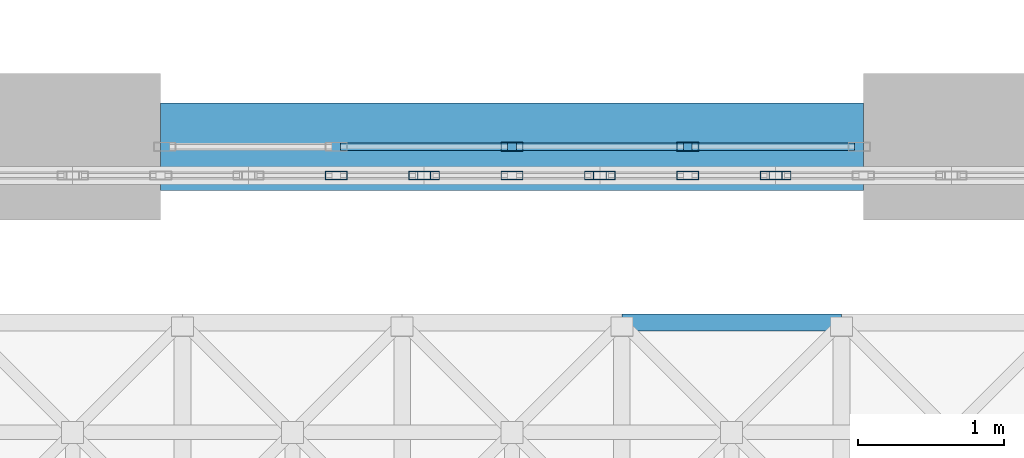
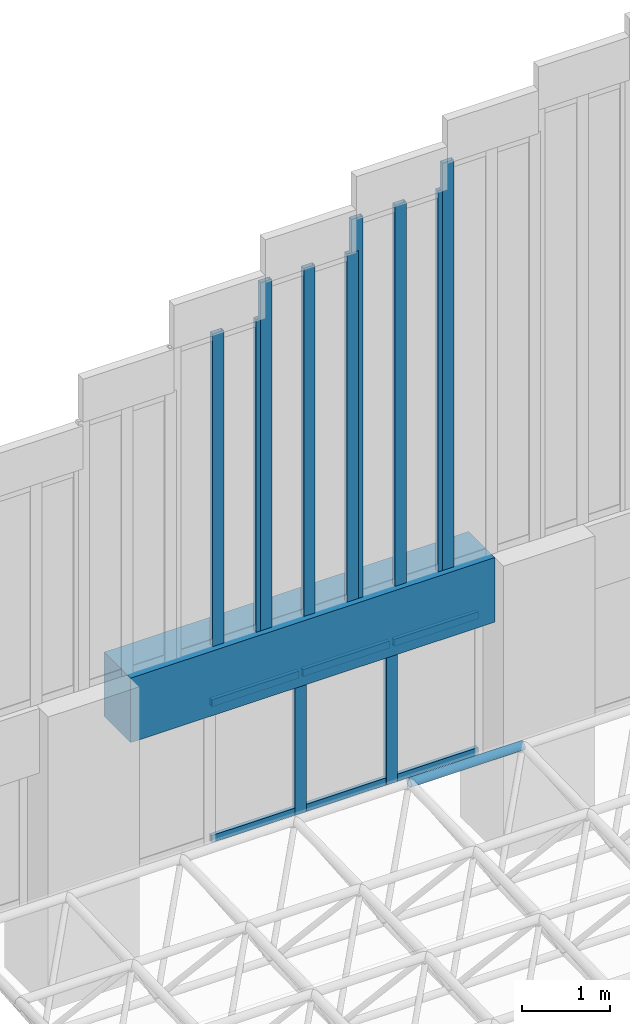
# One storey, part 10 of 103: 18 members, 1 beam, 5 elements without a shape of their own.
"""IFC4 building model written with IfcOpenShell, lengths in metres."""

import ifcopenshell
import ifcopenshell.guid

model = None  # the IFC model being written
_history = None  # IfcOwnerHistory: only IFC2X3 demands one
_inside = {}  # id of a spatial element -> (the spatial element, [elements in it])
_under = {}  # id of a project, library or spatial element -> (it, [spatial elements below it])
_declared = {}  # id of a project -> (the project, [libraries it declares])
_typed = {}  # id of a type object -> (the type object, [elements of that type])
_made_of = {}  # id of a material, layer set ... -> (it, [elements and type objects made of it])


def new_model(schema):
    """Start an empty IFC model of exactly this schema.

    Asked for "IFC4X3", IfcOpenShell would pick the latest addendum, in which some entities
    have other attributes; the version numbers below select the first issue.
    IFC2X3 requires an IfcOwnerHistory on every rooted entity: one is made here for all.
    """
    global model, _history
    if schema == "IFC4X3":
        model = ifcopenshell.file(schema_version=(4, 3, 0, 0))
    else:
        model = ifcopenshell.file(schema=schema)
    _inside.clear()
    _under.clear()
    _declared.clear()
    _typed.clear()
    _made_of.clear()
    _history = None
    if model.schema == "IFC2X3":
        org = make("IfcOrganization", Name="unknown")
        user = make(
            "IfcPersonAndOrganization",
            ThePerson=make("IfcPerson", FamilyName="unknown"),
            TheOrganization=org,
        )
        app = make(
            "IfcApplication",
            ApplicationDeveloper=org,
            Version="unknown",
            ApplicationFullName="unknown",
            ApplicationIdentifier="unknown",
        )
        _history = make(
            "IfcOwnerHistory",
            OwningUser=user,
            OwningApplication=app,
            ChangeAction="ADDED",
            CreationDate=0,
        )
    return model


def make(cls, **values):
    """One entity of the class cls with the attributes given. An attribute that is None is left unset."""
    return model.create_entity(
        cls, **{name: value for name, value in values.items() if value is not None}
    )


def rooted(cls, **values):
    """An entity with a GlobalId (a new one), such as an element, a storey or a relation."""
    return make(cls, GlobalId=ifcopenshell.guid.new(), OwnerHistory=_history, **values)


def si_unit(unit_type, name, prefix=None):
    """IfcSIUnit, for example si_unit("LENGTHUNIT", "METRE", prefix="MILLI")."""
    return make("IfcSIUnit", UnitType=unit_type, Prefix=prefix, Name=name)


def assignment(units):
    """IfcUnitAssignment: the units of a project."""
    return None if units is None else make("IfcUnitAssignment", Units=units)


def point(xyz):
    """IfcCartesianPoint."""
    return None if xyz is None else make("IfcCartesianPoint", Coordinates=xyz)


def direction(xyz):
    """IfcDirection."""
    return None if xyz is None else make("IfcDirection", DirectionRatios=xyz)


def frame(location, z_axis=None, x_axis=None):
    """IfcAxis2Placement3D, a coordinate frame: its origin and axes. An axis left out is left unset."""
    return make(
        "IfcAxis2Placement3D",
        Location=point(location),
        Axis=direction(z_axis),
        RefDirection=direction(x_axis),
    )


def frame_2d(location, x_axis=None):
    """IfcAxis2Placement2D, a coordinate frame in the plane: its origin and x axis."""
    return make(
        "IfcAxis2Placement2D", Location=point(location), RefDirection=direction(x_axis)
    )


def origin():
    """The frame at (0, 0, 0) with its axes left unset."""
    return frame((0.0, 0.0, 0.0))


def origin_2d():
    """The frame at (0, 0) in the plane with its x axis left unset."""
    return frame_2d((0.0, 0.0))


def place(relative_to, where):
    """IfcLocalPlacement: puts the frame where relative to a parent placement (None: the world)."""
    return make(
        "IfcLocalPlacement", PlacementRelTo=relative_to, RelativePlacement=where
    )


def context(
    kind, dimensions, precision=None, world=None, true_north=None, identifier=None
):
    """IfcGeometricRepresentationContext, for example the 3D "Model" context."""
    return make(
        "IfcGeometricRepresentationContext",
        ContextIdentifier=identifier,
        ContextType=kind,
        CoordinateSpaceDimension=dimensions,
        Precision=precision,
        WorldCoordinateSystem=world,
        TrueNorth=true_north,
    )


def subcontext(parent, identifier, kind, view, scale=None):
    """IfcGeometricRepresentationSubContext, for example "Body" below "Model"."""
    return make(
        "IfcGeometricRepresentationSubContext",
        ContextIdentifier=identifier,
        ContextType=kind,
        ParentContext=parent,
        TargetScale=scale,
        TargetView=view,
    )


def project(units=None, contexts=None):
    """IfcProject with its units and contexts."""
    return rooted(
        "IfcProject",
        Name="project",
        RepresentationContexts=contexts,
        UnitsInContext=assignment(units),
    )


def spatial(cls, under=None, at=None, **own):
    """A site, building, storey or space (cls), placed at a placement, below another one or the project."""
    s = rooted(cls, ObjectPlacement=at, **own)
    if under is not None:
        _under.setdefault(under.id(), (under, []))[1].append(s)
    return s


def profile(cls, at=None, kind="AREA", **sizes):
    """A parametric profile (cls). Its sizes go by their IFC names, for example OverallWidth=200.0."""
    return make(cls, ProfileType=kind, Position=at, **sizes)


def rectangle(**sizes):
    """IfcRectangleProfileDef."""
    return profile("IfcRectangleProfileDef", **sizes)


def hollow_rectangle(**sizes):
    """IfcRectangleHollowProfileDef."""
    return profile("IfcRectangleHollowProfileDef", **sizes)


def hollow_circle(**sizes):
    """IfcCircleHollowProfileDef."""
    return profile("IfcCircleHollowProfileDef", **sizes)


def extrude(swept, where, along, depth):
    """IfcExtrudedAreaSolid: the profile swept, set in the frame where, extruded along a direction by depth."""
    return make(
        "IfcExtrudedAreaSolid",
        SweptArea=swept,
        Position=where,
        ExtrudedDirection=direction(along),
        Depth=depth,
    )


def shape(context_of_items, identifier, shape_type, items):
    """IfcShapeRepresentation: the items that make up one representation, for example the "Body"."""
    return make(
        "IfcShapeRepresentation",
        ContextOfItems=context_of_items,
        RepresentationIdentifier=identifier,
        RepresentationType=shape_type,
        Items=items,
    )


def material(Name=None, Category=None):
    """IfcMaterial."""
    return make("IfcMaterial", Name=Name, Category=Category)


def material_profile(
    of_material, cross_section, Name=None, Category=None, Priority=None
):
    """IfcMaterialProfile: a cross section and its material."""
    return make(
        "IfcMaterialProfile",
        Name=Name,
        Material=of_material,
        Profile=cross_section,
        Priority=Priority,
        Category=Category,
    )


def profile_set(profiles, Name=None, composite=None):
    """IfcMaterialProfileSet."""
    return make(
        "IfcMaterialProfileSet",
        Name=Name,
        MaterialProfiles=profiles,
        CompositeProfile=composite,
    )


def made_of(thing, what):
    """Note that an element or type object is made of a material, layer set ...; save() writes the relation."""
    if what is not None:
        _made_of.setdefault(what.id(), (what, []))[1].append(thing)
    return thing


def type_object(cls, material=None, **own):
    """A type object (cls), such as IfcWallType, which elements share."""
    return made_of(rooted(cls, **own), material)


def element(
    cls,
    number,
    at=None,
    inside=None,
    cuts=None,
    type_object=None,
    material=None,
    context=None,
    identifier="Body",
    shape_type=None,
    held_by="IfcProductDefinitionShape",
    body=None,
    shapes=None,
    **own,
):
    """One element of the class cls, such as IfcWall. Its Tag is "e" and its number.

    at: its placement. inside: the storey or other place that contains it. cuts: it is an
    opening in that element (IfcRelVoidsElement). A single representation is given by context,
    identifier, shape_type and body (its items); several are given by shapes. held_by: the class
    of the entity that holds the representations. save() writes the other relations.
    """
    e = rooted(cls, Tag="e%d" % number, ObjectPlacement=at, **own)
    if body is not None:
        shapes = [shape(context, identifier, shape_type, body)]
    if shapes is not None:
        e.Representation = make(held_by, Representations=shapes)
    if inside is not None:
        _inside.setdefault(inside.id(), (inside, []))[1].append(e)
    if cuts is not None:
        rooted(
            "IfcRelVoidsElement", RelatingBuildingElement=cuts, RelatedOpeningElement=e
        )
    if type_object is not None:
        _typed.setdefault(type_object.id(), (type_object, []))[1].append(e)
    return made_of(e, material)


def aggregate(whole, parts):
    """IfcRelAggregates: a whole, such as a stair, and the parts it consists of."""
    return rooted("IfcRelAggregates", RelatingObject=whole, RelatedObjects=parts)


def save(model, path):
    """Write the relations noted so far, then the file.

    IfcRelAggregates (storeys below a building ...), IfcRelContainedInSpatialStructure (elements
    in a storey), IfcRelDefinesByType, IfcRelAssociatesMaterial and IfcRelDeclares: one each for
    every whole, place, type object, material and project.
    """
    for whole, parts in _under.values():
        aggregate(whole, parts)
    for where, things in _inside.values():
        rooted(
            "IfcRelContainedInSpatialStructure",
            RelatedElements=things,
            RelatingStructure=where,
        )
    for kind, things in _typed.values():
        rooted("IfcRelDefinesByType", RelatedObjects=things, RelatingType=kind)
    for what, things in _made_of.values():
        rooted("IfcRelAssociatesMaterial", RelatedObjects=things, RelatingMaterial=what)
    for by, libraries in _declared.values():
        rooted("IfcRelDeclares", RelatingContext=by, RelatedDefinitions=libraries)
    model.write(path)


model = new_model("IFC4")

# Units and contexts
model_context = context("Model", 3, precision=1e-05, world=origin(), true_north=direction((0.0, 1.0)))
body_context = subcontext(model_context, "Body", "Model", "MODEL_VIEW")
ifc_project = project(units=[si_unit("LENGTHUNIT", "METRE"), si_unit("AREAUNIT", "SQUARE_METRE"), si_unit("VOLUMEUNIT", "CUBIC_METRE"), si_unit("PLANEANGLEUNIT", "RADIAN"), si_unit("MASSUNIT", "GRAM", prefix="KILO")], contexts=[model_context])

# Site, building, storey
site_placement = place(None, origin())
site = spatial("IfcSite", under=ifc_project, at=site_placement, CompositionType="ELEMENT")
building_placement = place(site_placement, origin())
building = spatial("IfcBuilding", under=site, at=building_placement, Name="Laocheng Heights Fire and Rescue Headquarters", CompositionType="ELEMENT")
storey_placement = place(building_placement, frame((0.0, 0.0, 4.199951171875)))
storey = spatial("IfcBuildingStorey", under=building, at=storey_placement, Name="L01", CompositionType="ELEMENT", Elevation=4.199951171875)

# Curtain wall, members
ifc_material_1 = material(Name="Aluminium gable glazing, low-e double glazing", Category="aluminium")
curtain_wall_type_1 = type_object("IfcCurtainWallType", Name="GABLE SPANDREL GLAZED UNIT 4800 x 1990", PredefinedType="NOTDEFINED", material=ifc_material_1)
curtain_wall_1_placement = place(storey_placement, origin())
curtain_wall_1 = element("IfcCurtainWall", 1, at=curtain_wall_1_placement, inside=storey, type_object=curtain_wall_type_1, Name="Gable spandrel glazing S2", PredefinedType="NOTDEFINED")
ifc_material_2 = material(Name="Aluminium 6063-T5 extrusion", Category="aluminium")
ifc_material_profile_1 = material_profile(ifc_material_2, hollow_rectangle(XDim=0.06005859375, YDim=0.14990234375, WallThickness=0.0029296875, at=origin_2d()), Name="AL MULLION 150x60x3")
ifc_profile_set_1 = profile_set([ifc_material_profile_1], Name="Aluminium 6063-T5 extrusion")
member_type_1 = type_object("IfcMemberType", Name="AL GABLE MULLION 150x60x3", PredefinedType="MULLION", material=ifc_profile_set_1)
member_1_placement = place(storey_placement, frame((27.0, 0.0, 1.199951171875), z_axis=(0.0, 0.0, 1.0), x_axis=(0.0, 1.0, 0.0)))
member_1 = element("IfcMember", 2, at=member_1_placement, type_object=member_type_1, Name="X1-D mullion 3", PredefinedType="MULLION", context=body_context, shape_type="SweptSolid", body=[
    extrude(hollow_rectangle(XDim=0.06005859375, YDim=0.14990234375, WallThickness=0.0029296875, at=origin_2d()), origin(), (0.0, 0.0, 1.0), 1.990478515625),
])
member_2_placement = place(storey_placement, frame((28.199951171875, 0.0, 1.199951171875), z_axis=(0.0, 0.0, 1.0), x_axis=(0.0, 1.0, 0.0)))
member_2 = element("IfcMember", 3, at=member_2_placement, type_object=member_type_1, Name="X1-D mullion 4", PredefinedType="MULLION", context=body_context, shape_type="SweptSolid", body=[
    extrude(hollow_rectangle(XDim=0.06005859375, YDim=0.14990234375, WallThickness=0.0029296875, at=origin_2d()), origin(), (0.0, 0.0, 1.0), 1.990478515625),
])

ifc_material_3 = material(Name="Aluminium gable glazing, low-e double glazing", Category="aluminium")
curtain_wall_type_2 = type_object("IfcCurtainWallType", Name="GABLE GLAZED UNIT 1200 x 4353", PredefinedType="NOTDEFINED", material=ifc_material_3)
curtain_wall_2_placement = place(storey_placement, origin())
curtain_wall_2 = element("IfcCurtainWall", 4, at=curtain_wall_2_placement, inside=storey, type_object=curtain_wall_type_2, Name="Gable glazing S08", PredefinedType="NOTDEFINED")
member_3_placement = place(storey_placement, frame((25.800048828125, -0.196533203125, 4.090576171875), z_axis=(0.0, 0.0, 1.0), x_axis=(0.0, 1.0, 0.0)))
member_3 = element("IfcMember", 5, at=member_3_placement, type_object=member_type_1, Name="X7-D mullion 2", PredefinedType="MULLION", context=body_context, shape_type="SweptSolid", body=[
    extrude(hollow_rectangle(XDim=0.06005859375, YDim=0.14990234375, WallThickness=0.0029296875, at=origin_2d()), origin(), (0.0, 0.0, 1.0), 4.3525390625),
])
member_4_placement = place(storey_placement, frame((26.3701171875, -0.196533203125, 4.090576171875), z_axis=(0.0, 0.0, 1.0), x_axis=(0.0, 1.0, 0.0)))
member_4 = element("IfcMember", 6, at=member_4_placement, type_object=member_type_1, Name="X7-D mullion 3", PredefinedType="MULLION", context=body_context, shape_type="SweptSolid", body=[
    extrude(hollow_rectangle(XDim=0.06005859375, YDim=0.14990234375, WallThickness=0.0029296875, at=origin_2d()), origin(), (0.0, 0.0, 1.0), 4.3525390625),
])
aggregate(curtain_wall_2, [member_3, member_4])

ifc_material_4 = material(Name="Aluminium gable glazing, low-e double glazing", Category="aluminium")
curtain_wall_type_3 = type_object("IfcCurtainWallType", Name="GABLE GLAZED UNIT 1200 x 4846", PredefinedType="NOTDEFINED", material=ifc_material_4)
curtain_wall_3_placement = place(storey_placement, origin())
curtain_wall_3 = element("IfcCurtainWall", 7, at=curtain_wall_3_placement, inside=storey, type_object=curtain_wall_type_3, Name="Gable glazing S09", PredefinedType="NOTDEFINED")
member_5_placement = place(storey_placement, frame((26.429931640625, -0.196533203125, 4.090576171875), z_axis=(0.0, 0.0, 1.0), x_axis=(0.0, 1.0, 0.0)))
member_5 = element("IfcMember", 8, at=member_5_placement, type_object=member_type_1, Name="X8-D mullion 1", PredefinedType="MULLION", context=body_context, shape_type="SweptSolid", body=[
    extrude(hollow_rectangle(XDim=0.06005859375, YDim=0.14990234375, WallThickness=0.0029296875, at=origin_2d()), origin(), (0.0, 0.0, 1.0), 4.845458984375),
])
member_6_placement = place(storey_placement, frame((27.0, -0.196533203125, 4.090576171875), z_axis=(0.0, 0.0, 1.0), x_axis=(0.0, 1.0, 0.0)))
member_6 = element("IfcMember", 9, at=member_6_placement, type_object=member_type_1, Name="X8-D mullion 2", PredefinedType="MULLION", context=body_context, shape_type="SweptSolid", body=[
    extrude(hollow_rectangle(XDim=0.06005859375, YDim=0.14990234375, WallThickness=0.0029296875, at=origin_2d()), origin(), (0.0, 0.0, 1.0), 4.845458984375),
])
member_7_placement = place(storey_placement, frame((27.570068359375, -0.196533203125, 4.090576171875), z_axis=(0.0, 0.0, 1.0), x_axis=(0.0, 1.0, 0.0)))
member_7 = element("IfcMember", 10, at=member_7_placement, type_object=member_type_1, Name="X8-D mullion 3", PredefinedType="MULLION", context=body_context, shape_type="SweptSolid", body=[
    extrude(hollow_rectangle(XDim=0.06005859375, YDim=0.14990234375, WallThickness=0.0029296875, at=origin_2d()), origin(), (0.0, 0.0, 1.0), 4.845458984375),
])
aggregate(curtain_wall_3, [member_5, member_6, member_7])

ifc_material_5 = material(Name="Aluminium gable glazing, low-e double glazing", Category="aluminium")
curtain_wall_type_4 = type_object("IfcCurtainWallType", Name="GABLE GLAZED UNIT 1200 x 5306", PredefinedType="NOTDEFINED", material=ifc_material_5)
curtain_wall_4_placement = place(storey_placement, origin())
curtain_wall_4 = element("IfcCurtainWall", 11, at=curtain_wall_4_placement, inside=storey, type_object=curtain_wall_type_4, Name="Gable glazing S10", PredefinedType="NOTDEFINED")
member_8_placement = place(storey_placement, frame((27.6298828125, -0.196533203125, 4.090576171875), z_axis=(0.0, 0.0, 1.0), x_axis=(0.0, 1.0, 0.0)))
member_8 = element("IfcMember", 12, at=member_8_placement, type_object=member_type_1, Name="X9-D mullion 1", PredefinedType="MULLION", context=body_context, shape_type="SweptSolid", body=[
    extrude(hollow_rectangle(XDim=0.06005859375, YDim=0.14990234375, WallThickness=0.0029296875, at=origin_2d()), origin(), (0.0, 0.0, 1.0), 5.305419921875),
])
member_9_placement = place(storey_placement, frame((28.199951171875, -0.196533203125, 4.090576171875), z_axis=(0.0, 0.0, 1.0), x_axis=(0.0, 1.0, 0.0)))
member_9 = element("IfcMember", 13, at=member_9_placement, type_object=member_type_1, Name="X9-D mullion 2", PredefinedType="MULLION", context=body_context, shape_type="SweptSolid", body=[
    extrude(hollow_rectangle(XDim=0.06005859375, YDim=0.14990234375, WallThickness=0.0029296875, at=origin_2d()), origin(), (0.0, 0.0, 1.0), 5.305419921875),
])
member_10_placement = place(storey_placement, frame((28.77001953125, -0.196533203125, 4.090576171875), z_axis=(0.0, 0.0, 1.0), x_axis=(0.0, 1.0, 0.0)))
member_10 = element("IfcMember", 14, at=member_10_placement, type_object=member_type_1, Name="X9-D mullion 3", PredefinedType="MULLION", context=body_context, shape_type="SweptSolid", body=[
    extrude(hollow_rectangle(XDim=0.06005859375, YDim=0.14990234375, WallThickness=0.0029296875, at=origin_2d()), origin(), (0.0, 0.0, 1.0), 5.305419921875),
])
aggregate(curtain_wall_4, [member_8, member_9, member_10])

# Curtain wall, member
ifc_material_6 = material(Name="Aluminium gable glazing, low-e double glazing", Category="aluminium")
curtain_wall_type_5 = type_object("IfcCurtainWallType", Name="GABLE GLAZED UNIT 1200 x 5668", PredefinedType="NOTDEFINED", material=ifc_material_6)
curtain_wall_5_placement = place(storey_placement, origin())
curtain_wall_5 = element("IfcCurtainWall", 15, at=curtain_wall_5_placement, inside=storey, type_object=curtain_wall_type_5, Name="Gable glazing S11", PredefinedType="NOTDEFINED")
member_11_placement = place(storey_placement, frame((28.830078125, -0.196533203125, 4.090576171875), z_axis=(0.0, 0.0, 1.0), x_axis=(0.0, 1.0, 0.0)))
member_11 = element("IfcMember", 16, at=member_11_placement, type_object=member_type_1, Name="X10-D mullion 1", PredefinedType="MULLION", context=body_context, shape_type="SweptSolid", body=[
    extrude(hollow_rectangle(XDim=0.06005859375, YDim=0.14990234375, WallThickness=0.0029296875, at=origin_2d()), origin(), (0.0, 0.0, 1.0), 5.66845703125),
])
aggregate(curtain_wall_5, [member_11])

# Member
ifc_material_7 = material(Name="Aluminium 6063-T5 extrusion", Category="aluminium")
ifc_material_profile_2 = material_profile(ifc_material_7, hollow_rectangle(XDim=0.050048828125, YDim=0.10009765625, WallThickness=0.0029296875, at=origin_2d()), Name="AL TRANSOM 100x50x3")
ifc_profile_set_2 = profile_set([ifc_material_profile_2], Name="Aluminium 6063-T5 extrusion")
member_type_2 = type_object("IfcMemberType", Name="AL GABLE TRANSOM 100x50x3", PredefinedType="USERDEFINED", material=ifc_profile_set_2)
member_12_placement = place(storey_placement, frame((25.830078125, 0.0, 1.25), z_axis=(1.0, 0.0, 0.0), x_axis=(0.0, 1.0, 0.0)))
member_12 = element("IfcMember", 17, at=member_12_placement, type_object=member_type_2, Name="X1-D transom 2.1", ObjectType="TRANSOM", PredefinedType="USERDEFINED", context=body_context, shape_type="SweptSolid", body=[
    extrude(hollow_rectangle(XDim=0.050048828125, YDim=0.10009765625, WallThickness=0.0029296875, at=origin_2d()), origin(), (0.0, 0.0, 1.0), 1.139892578125),
])

member_13_placement = place(storey_placement, frame((25.830078125, 0.0, 3.140625), z_axis=(1.0, 0.0, 0.0), x_axis=(0.0, 1.0, 0.0)))
member_13 = element("IfcMember", 18, at=member_13_placement, type_object=member_type_2, Name="X1-D transom 2.2", ObjectType="TRANSOM", PredefinedType="USERDEFINED", context=body_context, shape_type="SweptSolid", body=[
    extrude(hollow_rectangle(XDim=0.050048828125, YDim=0.10009765625, WallThickness=0.0029296875, at=origin_2d()), origin(), (0.0, 0.0, 1.0), 1.139892578125),
])

member_14_placement = place(storey_placement, frame((27.030029296875, 0.0, 1.25), z_axis=(1.0, 0.0, 0.0), x_axis=(0.0, 1.0, 0.0)))
member_14 = element("IfcMember", 19, at=member_14_placement, type_object=member_type_2, Name="X1-D transom 3.1", ObjectType="TRANSOM", PredefinedType="USERDEFINED", context=body_context, shape_type="SweptSolid", body=[
    extrude(hollow_rectangle(XDim=0.050048828125, YDim=0.10009765625, WallThickness=0.0029296875, at=origin_2d()), origin(), (0.0, 0.0, 1.0), 1.139892578125),
])

member_15_placement = place(storey_placement, frame((27.030029296875, 0.0, 3.140625), z_axis=(1.0, 0.0, 0.0), x_axis=(0.0, 1.0, 0.0)))
member_15 = element("IfcMember", 20, at=member_15_placement, type_object=member_type_2, Name="X1-D transom 3.2", ObjectType="TRANSOM", PredefinedType="USERDEFINED", context=body_context, shape_type="SweptSolid", body=[
    extrude(hollow_rectangle(XDim=0.050048828125, YDim=0.10009765625, WallThickness=0.0029296875, at=origin_2d()), origin(), (0.0, 0.0, 1.0), 1.139892578125),
])

member_16_placement = place(storey_placement, frame((28.22998046875, 0.0, 1.25), z_axis=(1.0, 0.0, 0.0), x_axis=(0.0, 1.0, 0.0)))
member_16 = element("IfcMember", 21, at=member_16_placement, type_object=member_type_2, Name="X1-D transom 4.1", ObjectType="TRANSOM", PredefinedType="USERDEFINED", context=body_context, shape_type="SweptSolid", body=[
    extrude(hollow_rectangle(XDim=0.050048828125, YDim=0.10009765625, WallThickness=0.0029296875, at=origin_2d()), origin(), (0.0, 0.0, 1.0), 1.110107421875),
])

member_17_placement = place(storey_placement, frame((28.22998046875, 0.0, 3.140625), z_axis=(1.0, 0.0, 0.0), x_axis=(0.0, 1.0, 0.0)))
member_17 = element("IfcMember", 22, at=member_17_placement, type_object=member_type_2, Name="X1-D transom 4.2", ObjectType="TRANSOM", PredefinedType="USERDEFINED", context=body_context, shape_type="SweptSolid", body=[
    extrude(hollow_rectangle(XDim=0.050048828125, YDim=0.10009765625, WallThickness=0.0029296875, at=origin_2d()), origin(), (0.0, 0.0, 1.0), 1.110107421875),
])

aggregate(curtain_wall_1, [member_1, member_2, member_12, member_13, member_14, member_15, member_16, member_17])

ifc_material_8 = material(Name="Steel Q355B", Category="steel")
ifc_material_profile_3 = material_profile(ifc_material_8, hollow_circle(Radius=0.05712890625, WallThickness=0.0048828125, at=origin_2d()), Name="CHS 114.3x5")
ifc_profile_set_3 = profile_set([ifc_material_profile_3], Name="Steel Q355B")
member_type_3 = type_object("IfcMemberType", Name="APRON CANOPY TOP CHORD CHS 114.3x5", PredefinedType="CHORD", material=ifc_profile_set_3)
member_18_placement = place(storey_placement, frame((27.75, -1.199951171875, 2.075927734375), z_axis=(1.0, 0.0, 0.0), x_axis=(0.0, 1.0, 0.0)))
element("IfcMember", 23, at=member_18_placement, inside=storey, type_object=member_type_3, Name="Apron canopy top chord AC-T005", PredefinedType="CHORD", context=body_context, shape_type="SweptSolid", body=[
    extrude(hollow_circle(Radius=0.05712890625, WallThickness=0.0048828125, at=origin_2d()), origin(), (0.0, 0.0, 1.0), 1.5),
])

# Beam
ifc_material_9 = material(Name="Concrete C50", Category="concrete")
ifc_material_profile_4 = material_profile(ifc_material_9, rectangle(XDim=0.60009765625, YDim=0.89990234375, at=origin_2d()), Name="RC BEAM 600x900 GABLE SPRING BEAM")
ifc_profile_set_4 = profile_set([ifc_material_profile_4], Name="Concrete C50")
beam_type = type_object("IfcBeamType", Name="RC BEAM 600x900 GABLE SPRING BEAM", PredefinedType="BEAM", material=ifc_profile_set_4)
beam_placement = place(storey_placement, frame((24.60009765625, 0.0, 3.640625), z_axis=(1.0, 0.0, 0.0), x_axis=(0.0, 1.0, 0.0)))
element("IfcBeam", 24, at=beam_placement, inside=storey, type_object=beam_type, Name="Gable spring beam S2", PredefinedType="BEAM", context=body_context, shape_type="SweptSolid", body=[
    extrude(rectangle(XDim=0.60009765625, YDim=0.89990234375, at=origin_2d()), origin(), (0.0, 0.0, 1.0), 4.7998046875),
])

save(model, "model.ifc")
